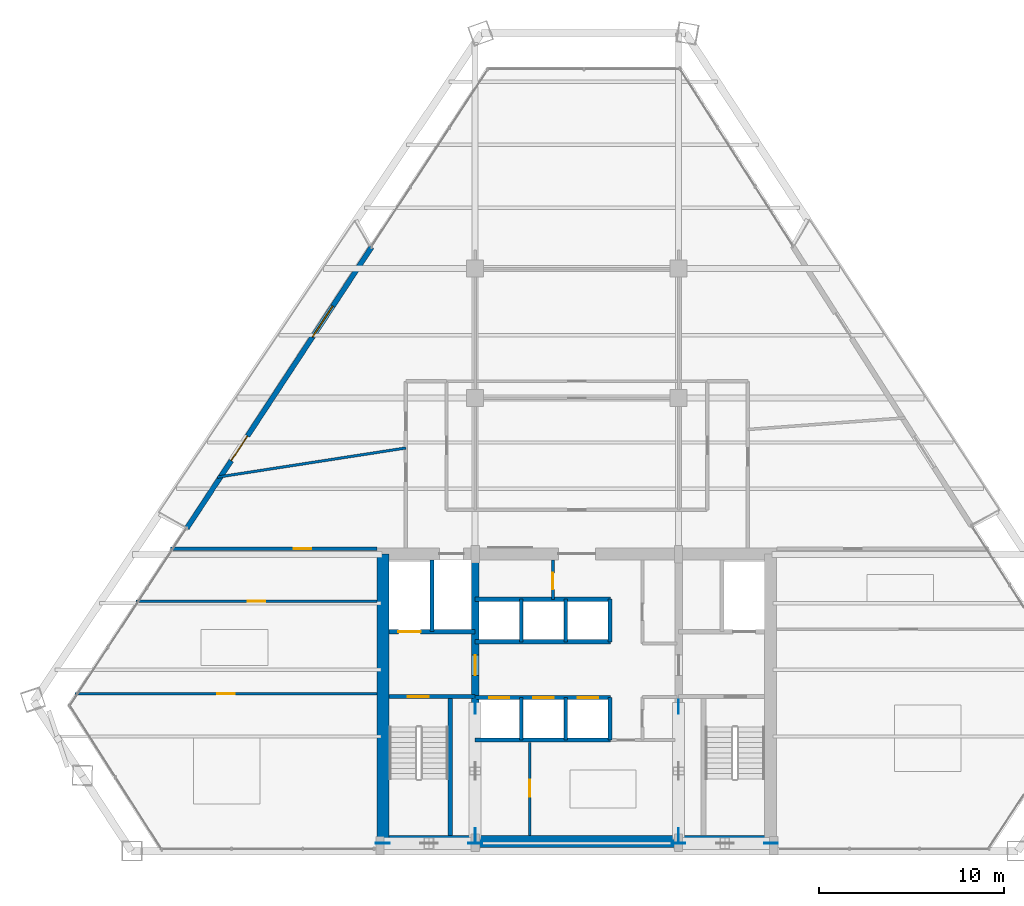
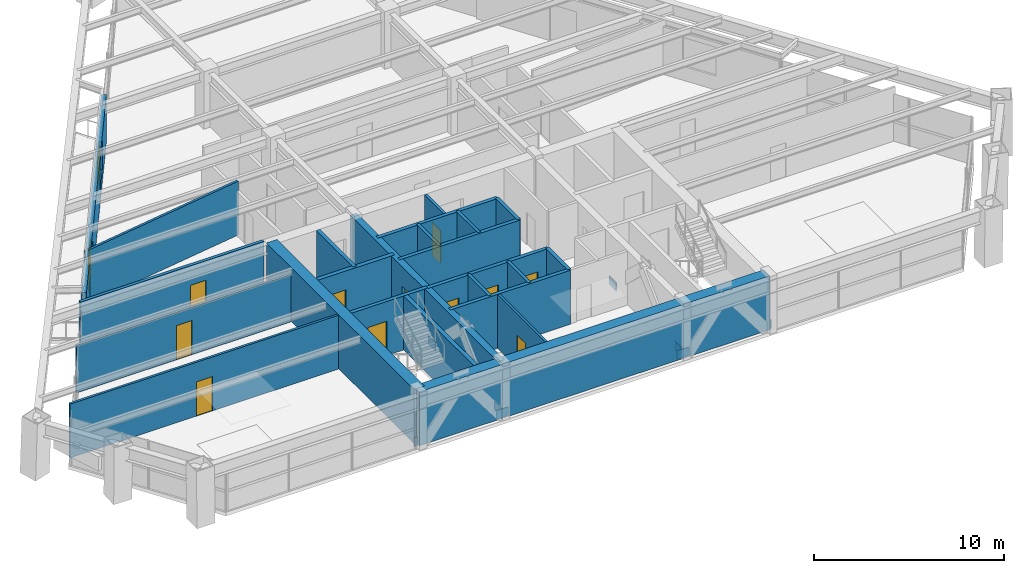
# One storey, part 10 of 14: 24 walls, 12 doors, 8 plates, 1 window, 13 openings.
"""IFC4 building model written with IfcOpenShell, lengths in metres."""

from ifc_helpers import new_model, si_unit, direction, frame, frame_2d, origin, origin_2d, place, context, subcontext, project, spatial, rectangle, extrude, source, transform, mapped, material, layer, layer_set, type_object, type_shapes, element, fill, save


model = new_model("IFC4")

# Units and contexts
model_context = context("Model", 3, precision=1e-05, world=origin(), true_north=direction((0.0, 1.0)))
body_context = subcontext(model_context, "Body", "Model", "MODEL_VIEW")
ifc_project = project(units=[si_unit("LENGTHUNIT", "METRE"), si_unit("AREAUNIT", "SQUARE_METRE"), si_unit("VOLUMEUNIT", "CUBIC_METRE"), si_unit("PLANEANGLEUNIT", "RADIAN"), si_unit("MASSUNIT", "GRAM", prefix="KILO")], contexts=[model_context])

# Site, building, storey
site_placement = place(None, origin())
site = spatial("IfcSite", under=ifc_project, at=site_placement, CompositionType="ELEMENT")
building_placement = place(site_placement, origin())
building = spatial("IfcBuilding", under=site, at=building_placement, Name="Varnakhor Terracotta Tower", CompositionType="ELEMENT")
storey_placement = place(building_placement, frame((0.0, 0.0, 129.300048828125)))
storey = spatial("IfcBuildingStorey", under=building, at=storey_placement, Name="L32", CompositionType="ELEMENT", Elevation=129.300048828125)

# Plates
ifc_material_1 = material(Name="Steel S460", Category="steel")
ifc_layer_1 = layer(ifc_material_1, 0.050048828125, Name="Steel S460")
ifc_layer_set_1 = layer_set([ifc_layer_1], Name="Steel S460")
plate_type = type_object("IfcPlateType", Name="PLT-GUSSET-50", PredefinedType="USERDEFINED", material=ifc_layer_set_1)
shared_shape_1 = source(origin(), body_context, "Body", "SweptSolid", [
    extrude(rectangle(XDim=0.75, YDim=0.0400390625, at=origin_2d()), origin(), (0.0, 0.0, 1.0), 0.550048828125),
])
type_shapes(plate_type, [shared_shape_1])
for number, where, z_axis, x_axis, name in (
    (1, (-10.5, 0.419921875, -0.09521484375), (0.0, 0.0, 1.0), (1.0, 0.0, 0.0), "L32 Core Brace Embed Plate CSWA"),
    (2, (-5.5, 0.419921875, -0.09521484375), (0.0, 0.0, 1.0), (1.0, 0.0, 0.0), "L32 Core Brace Embed Plate CSWB"),
    (3, (5.5, 0.419921875, -0.09521484375), (0.0, 0.0, 1.0), (1.0, 0.0, 0.0), "L32 Core Brace Embed Plate CSEA"),
    (4, (10.5, 0.419921875, -0.09521484375), (0.0, 0.0, 1.0), (1.0, 0.0, 0.0), "L32 Core Brace Embed Plate CSEB"),
    (5, (-5.5, 0.85009765625, -0.09521484375), (0.0, 0.0, 1.0), (0.0, 1.0, 0.0), "L32 Core Brace Embed Plate CWWA"),
    (6, (-5.5, 7.800048828125, -0.09521484375), (0.0, 0.0, 1.0), (0.0, 1.0, 0.0), "L32 Core Brace Embed Plate CWWB"),
    (7, (5.5, 0.85009765625, -0.09521484375), (0.0, 0.0, 1.0), (0.0, 1.0, 0.0), "L32 Core Brace Embed Plate CWEA"),
    (8, (5.5, 7.800048828125, -0.09521484375), (0.0, 0.0, 1.0), (0.0, 1.0, 0.0), "L32 Core Brace Embed Plate CWEB"),
):
    element("IfcPlate", number, at=place(storey_placement, frame(where, z_axis=z_axis, x_axis=x_axis)), inside=storey, type_object=plate_type, Name=name, ObjectType="GUSSET PLATE", PredefinedType="USERDEFINED", context=body_context, shape_type="MappedRepresentation", body=[
        mapped(shared_shape_1, transform((0.0, 0.0, 0.0), scale=1.0)),
    ])

# Walls
ifc_material_2 = material(Name="Concrete C50/60", Category="concrete")
ifc_layer_2 = layer(ifc_material_2, 0.64990234375, Name="Concrete C50/60")
ifc_layer_set_2 = layer_set([ifc_layer_2], Name="Concrete C50/60")
wall_type_1 = type_object("IfcWallType", Name="WAL-CORE-650", PredefinedType="SHEAR", material=ifc_layer_set_2)
wall_1_placement = place(storey_placement, frame((-10.64990234375, 0.52490234375, 0.0), z_axis=(0.0, 0.0, 1.0), x_axis=(1.0, 0.0, 0.0)))
element("IfcWall", 9, at=wall_1_placement, inside=storey, type_object=wall_type_1, Name="L32 South Core Shear Wall", PredefinedType="SHEAR", context=body_context, shape_type="SweptSolid", body=[
    extrude(rectangle(XDim=21.2998046875, YDim=0.64990234375, at=frame_2d((10.64990234375, 0.0))), origin(), (0.0, 0.0, 1.0), 3.469970703125),
])
wall_2_placement = place(storey_placement, frame((-10.47509765625, 0.52490234375, 0.0), z_axis=(0.0, 0.0, 1.0), x_axis=(0.0, 1.0, 0.0)))
element("IfcWall", 10, at=wall_2_placement, inside=storey, type_object=wall_type_1, Name="L32 West Core Shear Wall", PredefinedType="SHEAR", context=body_context, shape_type="SweptSolid", body=[
    extrude(rectangle(XDim=15.550048828125, YDim=0.64990234375, at=frame_2d((7.77490234375, 0.0))), origin(), (0.0, 0.0, 1.0), 3.469970703125),
])

# Wall, opening, door
ifc_layer_3 = layer(ifc_material_2, 0.39990234375, Name="Concrete C50/60")
ifc_layer_set_3 = layer_set([ifc_layer_3], Name="Concrete C50/60")
wall_type_2 = type_object("IfcWallType", Name="WAL-CORE-WEB-400", PredefinedType="SHEAR", material=ifc_layer_set_3)
wall_3_placement = place(storey_placement, frame((-5.5, 0.52490234375, 0.0), z_axis=(0.0, 0.0, 1.0), x_axis=(0.0, 1.0, 0.0)))
wall_3 = element("IfcWall", 11, at=wall_3_placement, inside=storey, type_object=wall_type_2, Name="L32 West Core Web Shear Wall", PredefinedType="SHEAR", context=body_context, shape_type="SweptSolid", body=[
    extrude(rectangle(XDim=15.550048828125, YDim=0.39990234375, at=frame_2d((7.77490234375, 0.0))), origin(), (0.0, 0.0, 1.0), 3.469970703125),
])
opening_1_placement = place(wall_3_placement, frame((8.97509765625, 0.0, 0.0)))
opening_1 = element("IfcOpeningElement", 12, at=opening_1_placement, cuts=wall_3, Name="Opening DR-25", PredefinedType="OPENING", context=body_context, shape_type="SweptSolid", body=[
    extrude(rectangle(XDim=1.10009765625, YDim=2.199951171875, at=frame_2d((0.550048828125, 1.10009765625))), frame((0.0, 0.2099609375, 0.0), z_axis=(0.0, -1.0, 0.0), x_axis=(1.0, 0.0, 0.0)), (0.0, 0.0, 1.0), 0.419921875),
])
ifc_material_3 = material(Name="Firefighting Lobby Self-Closing Fire Door", Category="steel")
door_type_1 = type_object("IfcDoorType", Name="DR-FFL-1100X2200", OperationType="NOTDEFINED", PredefinedType="DOOR", material=ifc_material_3)
shared_shape_2 = source(origin(), body_context, "Body", "SweptSolid", [
    extrude(rectangle(XDim=1.10009765625, YDim=2.199951171875, at=frame_2d((0.550048828125, 1.10009765625))), frame((0.0, 0.02490234375, 0.0), z_axis=(0.0, -1.0, 0.0), x_axis=(1.0, 0.0, 0.0)), (0.0, 0.0, 1.0), 0.050048828125),
])
type_shapes(door_type_1, [shared_shape_2])
door_1_placement = place(opening_1_placement, origin())
door_1 = element("IfcDoor", 13, at=door_1_placement, inside=storey, type_object=door_type_1, Name="L32 West Firefighting Lobby Door", OperationType="SINGLE_SWING_RIGHT", OverallHeight=2.199951171875, OverallWidth=1.10009765625, PredefinedType="DOOR", context=body_context, shape_type="MappedRepresentation", body=[
    mapped(shared_shape_2, transform((0.0, 0.0, 0.0), scale=1.0)),
])
fill(opening_1, door_1)

ifc_material_4 = material(Name="Fire-Rated Gypsum Stud Partition", Category="gypsum")
ifc_layer_4 = layer(ifc_material_4, 0.18505859375, Name="Fire-Rated Gypsum Stud Partition")
ifc_layer_set_4 = layer_set([ifc_layer_4], Name="Fire-Rated Gypsum Stud Partition")
wall_type_3 = type_object("IfcWallType", Name="WAL-CORR-185", PredefinedType="PARTITIONING", material=ifc_layer_set_4)
wall_4_placement = place(storey_placement, frame((-21.979248046875, 16.35009765625, 0.0), z_axis=(0.0, 0.0, 1.0), x_axis=(1.0, 0.0, 0.0)))
wall_4 = element("IfcWall", 14, at=wall_4_placement, inside=storey, type_object=wall_type_3, Name="L32 South West Entry Wall", PredefinedType="PARTITIONING", context=body_context, shape_type="SweptSolid", body=[
    extrude(rectangle(XDim=11.1591796875, YDim=0.18505859375, at=frame_2d((5.57958984375, 0.0))), origin(), (0.0, 0.0, 1.0), 3.4619140625),
])
opening_2_placement = place(wall_4_placement, frame((6.676513671875, 0.0, 0.0)))
opening_2 = element("IfcOpeningElement", 15, at=opening_2_placement, cuts=wall_4, Name="Opening DR-94", PredefinedType="OPENING", context=body_context, shape_type="SweptSolid", body=[
    extrude(rectangle(XDim=0.949951171875, YDim=2.199951171875, at=frame_2d((0.47509765625, 1.10009765625))), frame((0.0, 0.1025390625, 0.0), z_axis=(0.0, -1.0, 0.0), x_axis=(1.0, 0.0, 0.0)), (0.0, 0.0, 1.0), 0.205078125),
])
ifc_material_5 = material(Name="Acoustic Glazed-Vision Timber Office Door", Category="wood")
door_type_2 = type_object("IfcDoorType", Name="DR-OFF-950X2200", OperationType="NOTDEFINED", PredefinedType="DOOR", material=ifc_material_5)
shared_shape_3 = source(origin(), body_context, "Body", "SweptSolid", [
    extrude(rectangle(XDim=0.949951171875, YDim=2.199951171875, at=frame_2d((0.47509765625, 1.10009765625))), frame((0.0, 0.02490234375, 0.0), z_axis=(0.0, -1.0, 0.0), x_axis=(1.0, 0.0, 0.0)), (0.0, 0.0, 1.0), 0.050048828125),
])
type_shapes(door_type_2, [shared_shape_3])
door_2_placement = place(opening_2_placement, origin())
door_2 = element("IfcDoor", 16, at=door_2_placement, inside=storey, type_object=door_type_2, Name="L32 SW Suite Door", OperationType="SINGLE_SWING_LEFT", OverallHeight=2.199951171875, OverallWidth=0.949951171875, PredefinedType="DOOR", context=body_context, shape_type="MappedRepresentation", body=[
    mapped(shared_shape_3, transform((0.0, 0.0, 0.0), scale=1.0)),
])
fill(opening_2, door_2)

# Wall, openings, door, window
ifc_material_6 = material(Name="Extruded Architectural Terracotta Assembly", Category="masonry")
ifc_layer_5 = layer(ifc_material_6, 0.280029296875, Name="Extruded Architectural Terracotta Assembly")
ifc_layer_set_5 = layer_set([ifc_layer_5], Name="Extruded Architectural Terracotta Assembly")
wall_type_4 = type_object("IfcWallType", Name="WAL-EXT-TERRACOTTA-280", PredefinedType="SOLIDWALL", material=ifc_layer_set_5)
wall_5_placement = place(storey_placement, frame((-21.09130859375, 17.46435546875, 0.0), z_axis=(0.0, 0.0, 1.0), x_axis=(0.549184046642, 0.835701431681, 0.0)))
wall_5 = element("IfcWall", 17, at=wall_5_placement, inside=storey, type_object=wall_type_4, Name="L32 W Loggia Insulated Terracotta Wall", PredefinedType="SOLIDWALL", context=body_context, shape_type="SweptSolid", body=[
    extrude(rectangle(XDim=18.189697265625, YDim=0.280029296875, at=frame_2d((9.0947265625, 0.0))), origin(), (0.0, 0.0, 1.0), 3.050048828125),
])
opening_3_placement = place(wall_5_placement, frame((4.365478515625, 0.0, 0.0)))
opening_3 = element("IfcOpeningElement", 18, at=opening_3_placement, cuts=wall_5, Name="Opening DR-62", PredefinedType="OPENING", context=body_context, shape_type="SweptSolid", body=[
    extrude(rectangle(XDim=1.60009765625, YDim=2.35009765625, at=frame_2d((0.800048828125, 1.175048828125))), frame((0.0, 0.14990234375, 0.0), z_axis=(0.0, -1.0, 0.0), x_axis=(1.0, 0.0, 0.0)), (0.0, 0.0, 1.0), 0.300048828125),
])
opening_4_placement = place(wall_5_placement, frame((12.368896484375, 0.0, 0.89990234375)))
opening_4 = element("IfcOpeningElement", 19, at=opening_4_placement, cuts=wall_5, Name="Opening WN-26", PredefinedType="OPENING", context=body_context, shape_type="SweptSolid", body=[
    extrude(rectangle(XDim=2.0, YDim=1.85009765625, at=frame_2d((1.0, 0.925048828125))), frame((0.0, 0.14990234375, 0.0), z_axis=(0.0, -1.0, 0.0), x_axis=(1.0, 0.0, 0.0)), (0.0, 0.0, 1.0), 0.300048828125),
])
ifc_material_7 = material(Name="Thermally Broken Sliding Glass Loggia Door", Category="glass")
door_type_3 = type_object("IfcDoorType", Name="DR-EXT-LOGGIA-1600X2350", OperationType="NOTDEFINED", PredefinedType="DOOR", material=ifc_material_7)
shared_shape_4 = source(origin(), body_context, "Body", "SweptSolid", [
    extrude(rectangle(XDim=1.60009765625, YDim=2.35009765625, at=frame_2d((0.800048828125, 1.175048828125))), frame((0.0, 0.02490234375, 0.0), z_axis=(0.0, -1.0, 0.0), x_axis=(1.0, 0.0, 0.0)), (0.0, 0.0, 1.0), 0.050048828125),
])
type_shapes(door_type_3, [shared_shape_4])
door_3_placement = place(opening_3_placement, origin())
door_3 = element("IfcDoor", 20, at=door_3_placement, inside=storey, type_object=door_type_3, Name="L32 W Recessed Loggia Sliding Door", OperationType="SLIDING_TO_LEFT", OverallHeight=2.35009765625, OverallWidth=1.60009765625, PredefinedType="DOOR", context=body_context, shape_type="MappedRepresentation", body=[
    mapped(shared_shape_4, transform((0.0, 0.0, 0.0), scale=1.0)),
])
fill(opening_3, door_3)
ifc_material_8 = material(Name="Solar-Control Low-E Insulated Glass Unit", Category="glass")
window_type = type_object("IfcWindowType", Name="WIN-OFF-2200X2100", PartitioningType="SINGLE_PANEL", PredefinedType="WINDOW", material=ifc_material_8)
shared_shape_5 = source(origin(), body_context, "Body", "SweptSolid", [
    extrude(rectangle(XDim=2.0, YDim=1.85009765625, at=frame_2d((1.0, 0.925048828125))), frame((0.0, 0.030029296875, 0.0), z_axis=(0.0, -1.0, 0.0), x_axis=(1.0, 0.0, 0.0)), (0.0, 0.0, 1.0), 0.06005859375),
])
type_shapes(window_type, [shared_shape_5])
window_placement = place(opening_4_placement, origin())
window = element("IfcWindow", 21, at=window_placement, inside=storey, type_object=window_type, Name="L32 W Facet Punched Window", OverallHeight=1.85009765625, OverallWidth=2.0, PartitioningType="SINGLE_PANEL", PredefinedType="WINDOW", context=body_context, shape_type="MappedRepresentation", body=[
    mapped(shared_shape_5, transform((0.0, 0.0, 0.0), scale=1.0)),
])
fill(opening_4, window)

# Wall, opening, door
ifc_material_9 = material(Name="Concrete C40/50", Category="concrete")
ifc_layer_6 = layer(ifc_material_9, 0.219970703125, Name="Concrete C40/50")
ifc_layer_set_6 = layer_set([ifc_layer_6], Name="Concrete C40/50")
wall_type_5 = type_object("IfcWallType", Name="WAL-FFLOBBY-220", PredefinedType="SOLIDWALL", material=ifc_layer_set_6)
wall_6_placement = place(storey_placement, frame((-5.5, 8.35009765625, 0.0), z_axis=(0.0, 0.0, 1.0), x_axis=(-1.0, 0.0, 0.0)))
wall_6 = element("IfcWall", 22, at=wall_6_placement, inside=storey, type_object=wall_type_5, Name="L32 West Firefighting Lobby Stair Wall", PredefinedType="SOLIDWALL", context=body_context, shape_type="SweptSolid", body=[
    extrude(rectangle(XDim=4.64990234375, YDim=0.219970703125, at=frame_2d((2.324951171875, 0.0))), origin(), (0.0, 0.0, 1.0), 3.469970703125),
])
opening_5_placement = place(wall_6_placement, frame((2.5, 0.0, 0.0)))
opening_5 = element("IfcOpeningElement", 23, at=opening_5_placement, cuts=wall_6, Name="Opening DR-34", PredefinedType="OPENING", context=body_context, shape_type="SweptSolid", body=[
    extrude(rectangle(XDim=1.14990234375, YDim=2.199951171875, at=frame_2d((0.574951171875, 1.10009765625))), frame((0.0, 0.1201171875, 0.0), z_axis=(0.0, -1.0, 0.0), x_axis=(1.0, 0.0, 0.0)), (0.0, 0.0, 1.0), 0.239990234375),
])
ifc_material_10 = material(Name="Self-Closing Smoke-Sealed Steel Fire Door", Category="steel")
door_type_4 = type_object("IfcDoorType", Name="DR-STAIR-1150X2200", OperationType="NOTDEFINED", PredefinedType="DOOR", material=ifc_material_10)
shared_shape_6 = source(origin(), body_context, "Body", "SweptSolid", [
    extrude(rectangle(XDim=1.14990234375, YDim=2.199951171875, at=frame_2d((0.574951171875, 1.10009765625))), frame((0.0, 0.02490234375, 0.0), z_axis=(0.0, -1.0, 0.0), x_axis=(1.0, 0.0, 0.0)), (0.0, 0.0, 1.0), 0.050048828125),
])
type_shapes(door_type_4, [shared_shape_6])
door_4_placement = place(opening_5_placement, origin())
door_4 = element("IfcDoor", 24, at=door_4_placement, inside=storey, type_object=door_type_4, Name="L32 Exit Stair ST-1 Fire Door", OperationType="SINGLE_SWING_LEFT", OverallHeight=2.199951171875, OverallWidth=1.14990234375, PredefinedType="DOOR", context=body_context, shape_type="MappedRepresentation", body=[
    mapped(shared_shape_6, transform((0.0, 0.0, 0.0), scale=1.0)),
])
fill(opening_5, door_4)

ifc_material_11 = material(Name="Acoustic Metal-Stud Partition", Category="gypsum")
ifc_layer_7 = layer(ifc_material_11, 0.139892578125, Name="Acoustic Metal-Stud Partition")
ifc_layer_set_7 = layer_set([ifc_layer_7], Name="Acoustic Metal-Stud Partition")
wall_type_6 = type_object("IfcWallType", Name="WAL-PART-140", PredefinedType="PARTITIONING", material=ifc_layer_set_7)
wall_7_placement = place(storey_placement, frame((-27.137939453125, 8.5, 0.0), z_axis=(0.0, 0.0, 1.0), x_axis=(1.0, 0.0, 0.0)))
wall_7 = element("IfcWall", 25, at=wall_7_placement, inside=storey, type_object=wall_type_6, Name="L32 West Wing Cut 1", PredefinedType="PARTITIONING", context=body_context, shape_type="SweptSolid", body=[
    extrude(rectangle(XDim=16.31787109375, YDim=0.139892578125, at=frame_2d((8.158935546875, 0.0))), origin(), (0.0, 0.0, 1.0), 3.4619140625),
])
opening_6_placement = place(wall_7_placement, frame((7.694091796875, 0.0, 0.0)))
opening_6 = element("IfcOpeningElement", 26, at=opening_6_placement, cuts=wall_7, Name="Opening DR-94", PredefinedType="OPENING", context=body_context, shape_type="SweptSolid", body=[
    extrude(rectangle(XDim=0.949951171875, YDim=2.199951171875, at=frame_2d((0.47509765625, 1.10009765625))), frame((0.0, 0.080078125, 0.0), z_axis=(0.0, -1.0, 0.0), x_axis=(1.0, 0.0, 0.0)), (0.0, 0.0, 1.0), 0.159912109375),
])
door_5_placement = place(opening_6_placement, origin())
door_5 = element("IfcDoor", 27, at=door_5_placement, inside=storey, type_object=door_type_2, Name="L32 Admin Office 5 Door", OperationType="SINGLE_SWING_LEFT", OverallHeight=2.199951171875, OverallWidth=0.949951171875, PredefinedType="DOOR", context=body_context, shape_type="MappedRepresentation", body=[
    mapped(shared_shape_3, transform((0.0, 0.0, 0.0), scale=1.0)),
])
fill(opening_6, door_5)

wall_8_placement = place(storey_placement, frame((-23.852294921875, 13.5, 0.0), z_axis=(0.0, 0.0, 1.0), x_axis=(1.0, 0.0, 0.0)))
wall_8 = element("IfcWall", 28, at=wall_8_placement, inside=storey, type_object=wall_type_6, Name="L32 West Wing Cut 2", PredefinedType="PARTITIONING", context=body_context, shape_type="SweptSolid", body=[
    extrude(rectangle(XDim=13.0322265625, YDim=0.139892578125, at=frame_2d((6.51611328125, 0.0))), origin(), (0.0, 0.0, 1.0), 3.049072265625),
])
opening_7_placement = place(wall_8_placement, frame((6.05126953125, 0.0, 0.0)))
opening_7 = element("IfcOpeningElement", 29, at=opening_7_placement, cuts=wall_8, Name="Opening DR-94", PredefinedType="OPENING", context=body_context, shape_type="SweptSolid", body=[
    extrude(rectangle(XDim=0.949951171875, YDim=2.199951171875, at=frame_2d((0.47509765625, 1.10009765625))), frame((0.0, 0.080078125, 0.0), z_axis=(0.0, -1.0, 0.0), x_axis=(1.0, 0.0, 0.0)), (0.0, 0.0, 1.0), 0.159912109375),
])
door_6_placement = place(opening_7_placement, origin())
door_6 = element("IfcDoor", 30, at=door_6_placement, inside=storey, type_object=door_type_2, Name="L32 Corporate Office E2 B3 Door", OperationType="SINGLE_SWING_RIGHT", OverallHeight=2.199951171875, OverallWidth=0.949951171875, PredefinedType="DOOR", context=body_context, shape_type="MappedRepresentation", body=[
    mapped(shared_shape_3, transform((0.0, 0.0, 0.0), scale=1.0)),
])
fill(opening_7, door_6)

# Walls
wall_9_placement = place(storey_placement, frame((-19.43408203125, 20.222900390625, 0.0), z_axis=(0.0, 0.0, 1.0), x_axis=(0.988220028994, 0.153039780105, 0.0)))
element("IfcWall", 31, at=wall_9_placement, inside=storey, type_object=wall_type_6, Name="L32 West Wing Cut 3", PredefinedType="PARTITIONING", context=body_context, shape_type="SweptSolid", body=[
    extrude(rectangle(XDim=10.305419921875, YDim=0.139892578125, at=frame_2d((5.15283203125, 0.0))), origin(), (0.0, 0.0, 1.0), 3.4619140625),
])
ifc_layer_8 = layer(ifc_material_9, 0.179931640625, Name="Concrete C40/50")
ifc_layer_set_8 = layer_set([ifc_layer_8], Name="Concrete C40/50")
wall_type_7 = type_object("IfcWallType", Name="WAL-SHAFT-180", PredefinedType="SOLIDWALL", material=ifc_layer_set_8)
for number, where, z_axis, x_axis, name in (
    (32, (-3.0, 6.0, 0.0), (0.0, 0.0, 1.0), (0.0, 1.0, 0.0), "L32 PL-2A Divider"),
    (33, (-0.60009765625, 6.0, 0.0), (0.0, 0.0, 1.0), (0.0, 1.0, 0.0), "L32 PL-2B Divider"),
    (34, (-3.0, 11.320068359375, 0.0), (0.0, 0.0, 1.0), (0.0, 1.0, 0.0), "L32 PL-3A Divider"),
    (35, (-0.60009765625, 11.320068359375, 0.0), (0.0, 0.0, 1.0), (0.0, 1.0, 0.0), "L32 PL-3B Divider"),
):
    element("IfcWall", number, at=place(storey_placement, frame(where, z_axis=z_axis, x_axis=x_axis)), inside=storey, type_object=wall_type_7, Name=name, PredefinedType="SOLIDWALL", context=body_context, shape_type="SweptSolid", body=[
        extrude(rectangle(XDim=2.300048828125, YDim=0.179931640625, at=frame_2d((1.14990234375, 0.0))), origin(), (0.0, 0.0, 1.0), 3.469970703125),
    ])
ifc_layer_9 = layer(ifc_material_9, 0.219970703125, Name="Concrete C40/50")
ifc_layer_set_9 = layer_set([ifc_layer_9], Name="Concrete C40/50")
wall_type_8 = type_object("IfcWallType", Name="WAL-SHAFT-220", PredefinedType="SOLIDWALL", material=ifc_layer_set_9)
wall_10_placement = place(storey_placement, frame((-7.840087890625, 11.8701171875, 0.0), z_axis=(0.0, 0.0, 1.0), x_axis=(0.0, 1.0, 0.0)))
element("IfcWall", 36, at=wall_10_placement, inside=storey, type_object=wall_type_8, Name="L32 Lift FFL-1 and SVL-1 Divider Wall", PredefinedType="SOLIDWALL", context=body_context, shape_type="SweptSolid", body=[
    extrude(rectangle(XDim=3.8798828125, YDim=0.219970703125, at=frame_2d((1.93994140625, 0.0))), origin(), (0.0, 0.0, 1.0), 3.469970703125),
])
wall_11_placement = place(storey_placement, frame((-5.5, 6.0, 0.0), z_axis=(0.0, 0.0, 1.0), x_axis=(1.0, 0.0, 0.0)))
element("IfcWall", 37, at=wall_11_placement, inside=storey, type_object=wall_type_8, Name="L32 Bank 2 South Shaft Wall", PredefinedType="SOLIDWALL", context=body_context, shape_type="SweptSolid", body=[
    extrude(rectangle(XDim=7.320068359375, YDim=0.219970703125, at=frame_2d((3.66015625, 0.0))), origin(), (0.0, 0.0, 1.0), 3.469970703125),
])

# Wall, openings, doors
wall_12_placement = place(storey_placement, frame((-5.5, 8.300048828125, 0.0), z_axis=(0.0, 0.0, 1.0), x_axis=(1.0, 0.0, 0.0)))
wall_12 = element("IfcWall", 38, at=wall_12_placement, inside=storey, type_object=wall_type_8, Name="L32 Bank 2 North Shaft Wall", PredefinedType="SOLIDWALL", context=body_context, shape_type="SweptSolid", body=[
    extrude(rectangle(XDim=7.320068359375, YDim=0.219970703125, at=frame_2d((3.66015625, 0.0))), origin(), (0.0, 0.0, 1.0), 3.469970703125),
])
opening_8_placement = place(wall_12_placement, frame((0.75, 0.0, 0.0)))
opening_8 = element("IfcOpeningElement", 39, at=opening_8_placement, cuts=wall_12, Name="Opening LD-01", PredefinedType="OPENING", context=body_context, shape_type="SweptSolid", body=[
    extrude(rectangle(XDim=1.10009765625, YDim=2.199951171875, at=frame_2d((0.550048828125, 1.10009765625))), frame((0.0, 0.1201171875, 0.0), z_axis=(0.0, -1.0, 0.0), x_axis=(1.0, 0.0, 0.0)), (0.0, 0.0, 1.0), 0.239990234375),
])
opening_9_placement = place(wall_12_placement, frame((3.14990234375, 0.0, 0.0)))
opening_9 = element("IfcOpeningElement", 40, at=opening_9_placement, cuts=wall_12, Name="Opening LD-01", PredefinedType="OPENING", context=body_context, shape_type="SweptSolid", body=[
    extrude(rectangle(XDim=1.10009765625, YDim=2.199951171875, at=frame_2d((0.550048828125, 1.10009765625))), frame((0.0, 0.1201171875, 0.0), z_axis=(0.0, -1.0, 0.0), x_axis=(1.0, 0.0, 0.0)), (0.0, 0.0, 1.0), 0.239990234375),
])
opening_10_placement = place(wall_12_placement, frame((5.550048828125, 0.0, 0.0)))
opening_10 = element("IfcOpeningElement", 41, at=opening_10_placement, cuts=wall_12, Name="Opening LD-01", PredefinedType="OPENING", context=body_context, shape_type="SweptSolid", body=[
    extrude(rectangle(XDim=1.10009765625, YDim=2.199951171875, at=frame_2d((0.550048828125, 1.10009765625))), frame((0.0, 0.1201171875, 0.0), z_axis=(0.0, -1.0, 0.0), x_axis=(1.0, 0.0, 0.0)), (0.0, 0.0, 1.0), 0.239990234375),
])
ifc_material_12 = material(Name="Brushed Stainless Steel Sliding Lift Landing Door", Category="steel")
door_type_5 = type_object("IfcDoorType", Name="LD-PASS-1100X2200", OperationType="NOTDEFINED", PredefinedType="DOOR", material=ifc_material_12)
shared_shape_7 = source(origin(), body_context, "Body", "SweptSolid", [
    extrude(rectangle(XDim=1.10009765625, YDim=2.199951171875, at=frame_2d((0.550048828125, 1.10009765625))), frame((0.0, 0.02490234375, 0.0), z_axis=(0.0, -1.0, 0.0), x_axis=(1.0, 0.0, 0.0)), (0.0, 0.0, 1.0), 0.050048828125),
])
type_shapes(door_type_5, [shared_shape_7])
door_7_placement = place(opening_8_placement, origin())
door_7 = element("IfcDoor", 42, at=door_7_placement, inside=storey, type_object=door_type_5, Name="L32 Passenger Lift PL-2A Landing Door", OperationType="SLIDING_TO_LEFT", OverallHeight=2.199951171875, OverallWidth=1.10009765625, PredefinedType="DOOR", context=body_context, shape_type="MappedRepresentation", body=[
    mapped(shared_shape_7, transform((0.0, 0.0, 0.0), scale=1.0)),
])
fill(opening_8, door_7)
door_8_placement = place(opening_9_placement, origin())
door_8 = element("IfcDoor", 43, at=door_8_placement, inside=storey, type_object=door_type_5, Name="L32 Passenger Lift PL-2B Landing Door", OperationType="SLIDING_TO_LEFT", OverallHeight=2.199951171875, OverallWidth=1.10009765625, PredefinedType="DOOR", context=body_context, shape_type="MappedRepresentation", body=[
    mapped(shared_shape_7, transform((0.0, 0.0, 0.0), scale=1.0)),
])
fill(opening_9, door_8)
door_9_placement = place(opening_10_placement, origin())
door_9 = element("IfcDoor", 44, at=door_9_placement, inside=storey, type_object=door_type_5, Name="L32 Passenger Lift PL-2C Landing Door", OperationType="SLIDING_TO_LEFT", OverallHeight=2.199951171875, OverallWidth=1.10009765625, PredefinedType="DOOR", context=body_context, shape_type="MappedRepresentation", body=[
    mapped(shared_shape_7, transform((0.0, 0.0, 0.0), scale=1.0)),
])
fill(opening_10, door_9)

# Walls
wall_13_placement = place(storey_placement, frame((1.800048828125, 6.0, 0.0), z_axis=(0.0, 0.0, 1.0), x_axis=(0.0, 1.0, 0.0)))
element("IfcWall", 45, at=wall_13_placement, inside=storey, type_object=wall_type_8, Name="L32 Bank 2 East Shaft Wall", PredefinedType="SOLIDWALL", context=body_context, shape_type="SweptSolid", body=[
    extrude(rectangle(XDim=2.300048828125, YDim=0.219970703125, at=frame_2d((1.14990234375, 0.0))), origin(), (0.0, 0.0, 1.0), 3.469970703125),
])
for number, where, z_axis, x_axis, name in (
    (46, (-5.5, 11.320068359375, 0.0), (0.0, 0.0, 1.0), (1.0, 0.0, 0.0), "L32 Bank 3 South Shaft Wall"),
    (47, (-5.5, 13.6201171875, 0.0), (0.0, 0.0, 1.0), (1.0, 0.0, 0.0), "L32 Bank 3 North Shaft Wall"),
):
    element("IfcWall", number, at=place(storey_placement, frame(where, z_axis=z_axis, x_axis=x_axis)), inside=storey, type_object=wall_type_8, Name=name, PredefinedType="SOLIDWALL", context=body_context, shape_type="SweptSolid", body=[
        extrude(rectangle(XDim=7.320068359375, YDim=0.219970703125, at=frame_2d((3.66015625, 0.0))), origin(), (0.0, 0.0, 1.0), 3.469970703125),
    ])
wall_14_placement = place(storey_placement, frame((1.800048828125, 11.320068359375, 0.0), z_axis=(0.0, 0.0, 1.0), x_axis=(0.0, 1.0, 0.0)))
element("IfcWall", 48, at=wall_14_placement, inside=storey, type_object=wall_type_8, Name="L32 Bank 3 East Shaft Wall", PredefinedType="SOLIDWALL", context=body_context, shape_type="SweptSolid", body=[
    extrude(rectangle(XDim=2.300048828125, YDim=0.219970703125, at=frame_2d((1.14990234375, 0.0))), origin(), (0.0, 0.0, 1.0), 3.469970703125),
])
ifc_layer_10 = layer(ifc_material_9, 0.25, Name="Concrete C40/50")
ifc_layer_set_10 = layer_set([ifc_layer_10], Name="Concrete C40/50")
wall_type_9 = type_object("IfcWallType", Name="WAL-SHAFT-250", PredefinedType="SOLIDWALL", material=ifc_layer_set_10)
wall_15_placement = place(storey_placement, frame((-6.85009765625, 0.85009765625, 0.0), z_axis=(0.0, 0.0, 1.0), x_axis=(0.0, 1.0, 0.0)))
element("IfcWall", 49, at=wall_15_placement, inside=storey, type_object=wall_type_9, Name="L32 Stair ST-1 Bearing Shaft Wall", PredefinedType="SOLIDWALL", context=body_context, shape_type="SweptSolid", body=[
    extrude(rectangle(XDim=7.5, YDim=0.25, at=frame_2d((3.75, 0.0))), origin(), (0.0, 0.0, 1.0), 3.469970703125),
])

# Wall, opening, door
wall_16_placement = place(storey_placement, frame((-5.5, 11.8701171875, 0.0), z_axis=(0.0, 0.0, 1.0), x_axis=(-1.0, 0.0, 0.0)))
wall_16 = element("IfcWall", 50, at=wall_16_placement, inside=storey, type_object=wall_type_9, Name="L32 Lift FFL-1 Shaft Front Wall", PredefinedType="SOLIDWALL", context=body_context, shape_type="SweptSolid", body=[
    extrude(rectangle(XDim=4.64990234375, YDim=0.25, at=frame_2d((2.324951171875, 0.0))), origin(), (0.0, 0.0, 1.0), 3.469970703125),
])
opening_11_placement = place(wall_16_placement, frame((2.949951171875, 0.0, 0.0)))
opening_11 = element("IfcOpeningElement", 51, at=opening_11_placement, cuts=wall_16, Name="Opening LD-02", PredefinedType="OPENING", context=body_context, shape_type="SweptSolid", body=[
    extrude(rectangle(XDim=1.199951171875, YDim=2.25, at=frame_2d((0.60009765625, 1.125))), frame((0.0, 0.135009765625, 0.0), z_axis=(0.0, -1.0, 0.0), x_axis=(1.0, 0.0, 0.0)), (0.0, 0.0, 1.0), 0.27001953125),
])
ifc_material_13 = material(Name="Firefighting Stretcher Sliding Lift Landing Door", Category="steel")
door_type_6 = type_object("IfcDoorType", Name="LD-FFL-1200X2250", OperationType="NOTDEFINED", PredefinedType="DOOR", material=ifc_material_13)
shared_shape_8 = source(origin(), body_context, "Body", "SweptSolid", [
    extrude(rectangle(XDim=1.199951171875, YDim=2.25, at=frame_2d((0.60009765625, 1.125))), frame((0.0, 0.02490234375, 0.0), z_axis=(0.0, -1.0, 0.0), x_axis=(1.0, 0.0, 0.0)), (0.0, 0.0, 1.0), 0.050048828125),
])
type_shapes(door_type_6, [shared_shape_8])
door_10_placement = place(opening_11_placement, origin())
door_10 = element("IfcDoor", 52, at=door_10_placement, inside=storey, type_object=door_type_6, Name="L32 Firefighting Lift FFL-1 Landing Door", OperationType="SLIDING_TO_LEFT", OverallHeight=2.25, OverallWidth=1.199951171875, PredefinedType="DOOR", context=body_context, shape_type="MappedRepresentation", body=[
    mapped(shared_shape_8, transform((0.0, 0.0, 0.0), scale=1.0)),
])
fill(opening_11, door_10)

ifc_material_14 = material(Name="Acoustic Fire-Rated Partition", Category="gypsum")
ifc_layer_11 = layer(ifc_material_14, 0.139892578125, Name="Acoustic Fire-Rated Partition")
ifc_layer_set_11 = layer_set([ifc_layer_11], Name="Acoustic Fire-Rated Partition")
wall_type_10 = type_object("IfcWallType", Name="WAL-TENANCY-140", PredefinedType="PARTITIONING", material=ifc_layer_set_11)
wall_17_placement = place(storey_placement, frame((-2.550048828125, 0.85009765625, 0.0), z_axis=(0.0, 0.0, 1.0), x_axis=(0.0, 1.0, 0.0)))
wall_17 = element("IfcWall", 53, at=wall_17_placement, inside=storey, type_object=wall_type_10, Name="L32 Reclaimed Core Bay Split Wall", PredefinedType="PARTITIONING", context=body_context, shape_type="SweptSolid", body=[
    extrude(rectangle(XDim=5.02978515625, YDim=0.139892578125, at=frame_2d((2.514892578125, 0.0))), origin(), (0.0, 0.0, 1.0), 3.4619140625),
])
opening_12_placement = place(wall_17_placement, frame((2.10009765625, 0.0, 0.0)))
opening_12 = element("IfcOpeningElement", 54, at=opening_12_placement, cuts=wall_17, Name="Opening DR-67", PredefinedType="OPENING", context=body_context, shape_type="SweptSolid", body=[
    extrude(rectangle(XDim=0.89990234375, YDim=2.10009765625, at=frame_2d((0.449951171875, 1.050048828125))), frame((0.0, 0.080078125, 0.0), z_axis=(0.0, -1.0, 0.0), x_axis=(1.0, 0.0, 0.0)), (0.0, 0.0, 1.0), 0.159912109375),
])
ifc_material_15 = material(Name="Steel Service Riser Fire Door", Category="steel")
door_type_7 = type_object("IfcDoorType", Name="DR-RISER-900X2100", OperationType="NOTDEFINED", PredefinedType="DOOR", material=ifc_material_15)
shared_shape_9 = source(origin(), body_context, "Body", "SweptSolid", [
    extrude(rectangle(XDim=0.89990234375, YDim=2.10009765625, at=frame_2d((0.449951171875, 1.050048828125))), frame((0.0, 0.02490234375, 0.0), z_axis=(0.0, -1.0, 0.0), x_axis=(1.0, 0.0, 0.0)), (0.0, 0.0, 1.0), 0.050048828125),
])
type_shapes(door_type_7, [shared_shape_9])
door_11_placement = place(opening_12_placement, origin())
door_11 = element("IfcDoor", 55, at=door_11_placement, inside=storey, type_object=door_type_7, Name="L32 Core Inner Service Door", OperationType="SINGLE_SWING_RIGHT", OverallHeight=2.10009765625, OverallWidth=0.89990234375, PredefinedType="DOOR", context=body_context, shape_type="MappedRepresentation", body=[
    mapped(shared_shape_9, transform((0.0, 0.0, 0.0), scale=1.0)),
])
fill(opening_12, door_11)

ifc_layer_12 = layer(ifc_material_14, 0.1650390625, Name="Acoustic Fire-Rated Partition")
ifc_layer_set_12 = layer_set([ifc_layer_12], Name="Acoustic Fire-Rated Partition")
wall_type_11 = type_object("IfcWallType", Name="WAL-TENANCY-165", PredefinedType="PARTITIONING", material=ifc_layer_set_12)
wall_18_placement = place(storey_placement, frame((-1.300048828125, 13.60009765625, 0.0), z_axis=(0.0, 0.0, 1.0), x_axis=(0.0, 1.0, 0.0)))
wall_18 = element("IfcWall", 56, at=wall_18_placement, inside=storey, type_object=wall_type_11, Name="L32 Male Restroom Wall", PredefinedType="PARTITIONING", context=body_context, shape_type="SweptSolid", body=[
    extrude(rectangle(XDim=2.14990234375, YDim=0.1650390625, at=frame_2d((1.074951171875, 0.0))), origin(), (0.0, 0.0, 1.0), 3.4619140625),
])
opening_13_placement = place(wall_18_placement, frame((0.550048828125, 0.0, 0.0)))
opening_13 = element("IfcOpeningElement", 57, at=opening_13_placement, cuts=wall_18, Name="Opening DR-67", PredefinedType="OPENING", context=body_context, shape_type="SweptSolid", body=[
    extrude(rectangle(XDim=0.89990234375, YDim=2.10009765625, at=frame_2d((0.449951171875, 1.050048828125))), frame((0.0, 0.092529296875, 0.0), z_axis=(0.0, -1.0, 0.0), x_axis=(1.0, 0.0, 0.0)), (0.0, 0.0, 1.0), 0.18505859375),
])
door_12_placement = place(opening_13_placement, origin())
door_12 = element("IfcDoor", 58, at=door_12_placement, inside=storey, type_object=door_type_7, Name="L32 Male WC Door", OperationType="SINGLE_SWING_RIGHT", OverallHeight=2.10009765625, OverallWidth=0.89990234375, PredefinedType="DOOR", context=body_context, shape_type="MappedRepresentation", body=[
    mapped(shared_shape_9, transform((0.0, 0.0, 0.0), scale=1.0)),
])
fill(opening_13, door_12)

save(model, "model.ifc")
